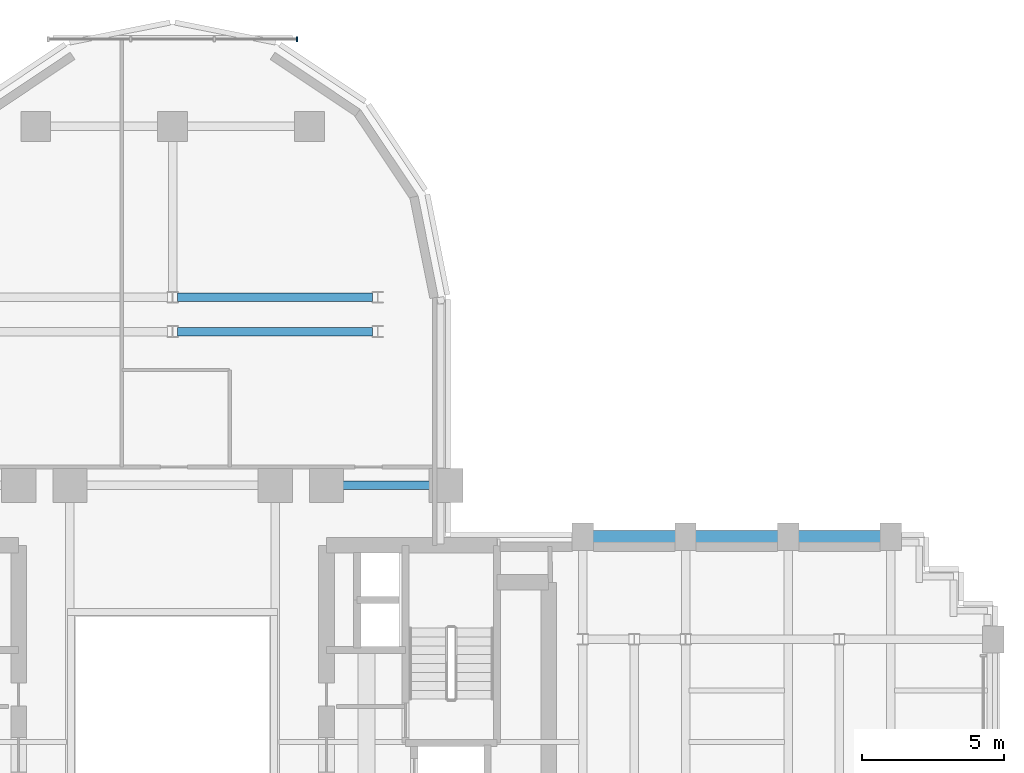
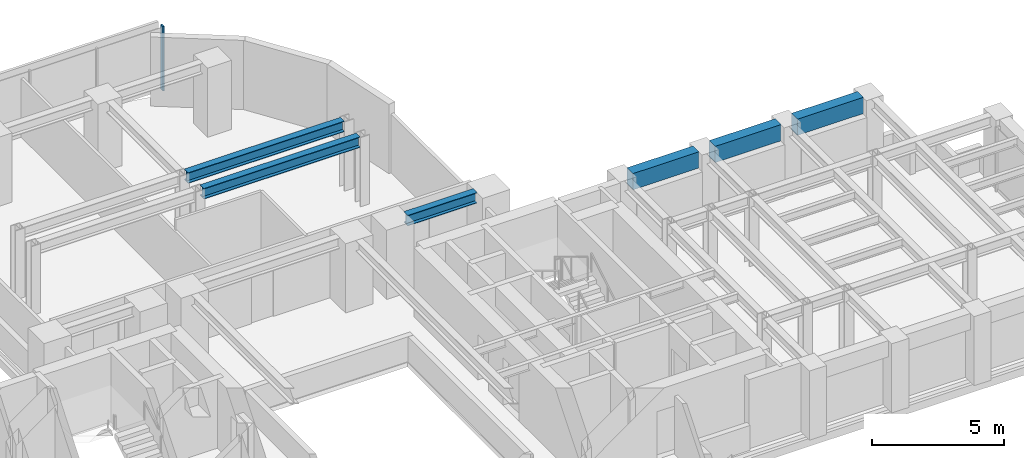
# One storey, part 8 of 16: 6 beams, 1 member, 1 element without a shape of its own.
"""IFC4 building model written with IfcOpenShell, lengths in metres."""

from ifc_helpers import new_model, si_unit, direction, frame, origin, origin_2d, place, context, subcontext, project, spatial, rectangle, i_section, extrude, source, transform, mapped, material, material_profile, profile_set, type_object, element, aggregate, save


model = new_model("IFC4")

# Units and contexts
model_context = context("Model", 3, precision=1e-05, world=origin(), true_north=direction((0.0, 1.0)))
body_context = subcontext(model_context, "Body", "Model", "MODEL_VIEW")
ifc_project = project(units=[si_unit("LENGTHUNIT", "METRE"), si_unit("AREAUNIT", "SQUARE_METRE"), si_unit("VOLUMEUNIT", "CUBIC_METRE"), si_unit("PLANEANGLEUNIT", "RADIAN"), si_unit("MASSUNIT", "GRAM", prefix="KILO")], contexts=[model_context])

# Site, building, storey
site_placement = place(None, origin())
site = spatial("IfcSite", under=ifc_project, at=site_placement, CompositionType="ELEMENT")
building_placement = place(site_placement, origin())
building = spatial("IfcBuilding", under=site, at=building_placement, Name="Keilestroom Media Tower", CompositionType="ELEMENT")
storey_placement = place(building_placement, frame((0.0, 0.0, 34.0)))
storey = spatial("IfcBuildingStorey", under=building, at=storey_placement, Name="L07", CompositionType="ELEMENT", Elevation=34.0)

# Beams
ifc_material_1 = material(Name="Precast concrete C40/50", Category="concrete")
ifc_material_profile_1 = material_profile(ifc_material_1, rectangle(XDim=0.449951171875, YDim=0.75, at=origin_2d()), Name="PC 450x750")
ifc_profile_set_1 = profile_set([ifc_material_profile_1], Name="Precast concrete C40/50")
beam_type_1 = type_object("IfcBeamType", Name="Perimeter-Spandrel-Beam-PC-450x750", PredefinedType="SPANDREL", material=ifc_profile_set_1)
shared_shape_1 = source(origin(), body_context, "Body", "SweptSolid", [
    extrude(rectangle(XDim=0.449951171875, YDim=0.75, at=origin_2d()), origin(), (0.0, 0.0, 1.0), 2.889892578125),
])
beam_1_placement = place(storey_placement, frame((21.955078125, 7.199951171875, 2.824951171875), z_axis=(1.0, 0.0, 0.0), x_axis=(0.0, 1.0, 0.0)))
element("IfcBeam", 1, at=beam_1_placement, inside=storey, type_object=beam_type_1, Name="L07 Beam SPB-1 BM-L07-EW-039", PredefinedType="SPANDREL", context=body_context, shape_type="MappedRepresentation", body=[
    mapped(shared_shape_1, transform((0.0, 0.0, 0.0), x_axis=(1.0, 0.0, 0.0), y_axis=(0.0, 1.0, 0.0), z_axis=(0.0, 0.0, 1.0), scale=1.0)),
])
shared_shape_2 = source(origin(), body_context, "Body", "SweptSolid", [
    extrude(rectangle(XDim=0.449951171875, YDim=0.75, at=origin_2d()), origin(), (0.0, 0.0, 1.0), 2.89013671875),
])
for number, where, z_axis, x_axis, name in (
    (2, (14.7548828125, 7.199951171875, 2.824951171875), (1.0, 0.0, 0.0), (0.0, 1.0, 0.0), "L07 Beam SPB-1 BM-L07-EW-037"),
    (3, (18.35498046875, 7.199951171875, 2.824951171875), (1.0, 0.0, 0.0), (0.0, 1.0, 0.0), "L07 Beam SPB-1 BM-L07-EW-038"),
):
    element("IfcBeam", number, at=place(storey_placement, frame(where, z_axis=z_axis, x_axis=x_axis)), inside=storey, type_object=beam_type_1, Name=name, PredefinedType="SPANDREL", context=body_context, shape_type="MappedRepresentation", body=[
        mapped(shared_shape_2, transform((0.0, 0.0, 0.0), x_axis=(1.0, 0.0, 0.0), y_axis=(0.0, 1.0, 0.0), z_axis=(0.0, 0.0, 1.0), scale=1.0)),
    ])
ifc_material_2 = material(Name="Steel S355", Category="steel")
ifc_material_profile_2 = material_profile(ifc_material_2, i_section(OverallWidth=0.300048828125, OverallDepth=0.489990234375, WebThickness=0.011962890625, FlangeThickness=0.02294921875, at=origin_2d()), Name="HEA 500")
ifc_profile_set_2 = profile_set([ifc_material_profile_2], Name="Steel S355")
beam_type_2 = type_object("IfcBeamType", Name="Primary-Structural-Girder-HEA-500", PredefinedType="BEAM", material=ifc_profile_set_2)
shared_shape_3 = source(origin(), body_context, "Body", "SweptSolid", [
    extrude(i_section(OverallWidth=0.300048828125, OverallDepth=0.489990234375, WebThickness=0.011962890625, FlangeThickness=0.02294921875, at=origin_2d()), origin(), (0.0, 0.0, 1.0), 6.836181640625),
])
for number, where, z_axis, x_axis, name in (
    (4, (0.181884765625, 14.39990234375, 2.955078125), (1.0, 0.0, 0.0), (0.0, 1.0, 0.0), "L07 Beam BG-10 BM-L07-EW-046"),
    (5, (0.181884765625, 15.60009765625, 2.955078125), (1.0, 0.0, 0.0), (0.0, 1.0, 0.0), "L07 Beam BG-10 BM-L07-EW-048"),
):
    element("IfcBeam", number, at=place(storey_placement, frame(where, z_axis=z_axis, x_axis=x_axis)), inside=storey, type_object=beam_type_2, Name=name, PredefinedType="BEAM", context=body_context, shape_type="MappedRepresentation", body=[
        mapped(shared_shape_3, transform((0.0, 0.0, 0.0), x_axis=(1.0, 0.0, 0.0), y_axis=(0.0, 1.0, 0.0), z_axis=(0.0, 0.0, 1.0), scale=1.0)),
    ])
shared_shape_4 = source(origin(), body_context, "Body", "SweptSolid", [
    extrude(i_section(OverallWidth=0.300048828125, OverallDepth=0.489990234375, WebThickness=0.011962890625, FlangeThickness=0.02294921875, at=origin_2d()), origin(), (0.0, 0.0, 1.0), 3.0400390625),
])
beam_2_placement = place(storey_placement, frame((5.97998046875, 9.0, 2.955078125), z_axis=(1.0, 0.0, 0.0), x_axis=(0.0, 1.0, 0.0)))
element("IfcBeam", 6, at=beam_2_placement, inside=storey, type_object=beam_type_2, Name="L07 Beam BG-10 BM-L07-EW-044", PredefinedType="BEAM", context=body_context, shape_type="MappedRepresentation", body=[
    mapped(shared_shape_4, transform((0.0, 0.0, 0.0), x_axis=(1.0, 0.0, 0.0), y_axis=(0.0, 1.0, 0.0), z_axis=(0.0, 0.0, 1.0), scale=1.0)),
])

# Curtain wall, member
ifc_material_3 = material(Name="Anodised Aluminium Alloy", Category="aluminium")
curtain_wall_type = type_object("IfcCurtainWallType", Name="Unitised-Curtain-Wall-CW-6", PredefinedType="NOTDEFINED", material=ifc_material_3)
curtain_wall_placement = place(storey_placement, origin())
curtain_wall = element("IfcCurtainWall", 7, at=curtain_wall_placement, inside=storey, type_object=curtain_wall_type, Name="L07 Curtain Wall CW-6 CW-L07-LN-1", PredefinedType="NOTDEFINED")
ifc_material_profile_3 = material_profile(ifc_material_3, rectangle(XDim=0.06494140625, YDim=0.179931640625, at=origin_2d()), Name="ALU MULLION 65x180")
ifc_profile_set_3 = profile_set([ifc_material_profile_3], Name="Anodised Aluminium Alloy")
member_type = type_object("IfcMemberType", Name="Curtain-Wall-Mullion-CW-6", PredefinedType="MULLION", material=ifc_profile_set_3)
shared_shape_5 = source(origin(), body_context, "Body", "SweptSolid", [
    extrude(rectangle(XDim=0.06494140625, YDim=0.179931640625, at=origin_2d()), origin(), (0.0, 0.0, 1.0), 2.97998046875),
])
member_placement = place(storey_placement, frame((4.367431640625, 24.64990234375, 0.0), z_axis=(0.0, 0.0, 1.0), x_axis=(1.0, 0.0, 0.0)))
member = element("IfcMember", 8, at=member_placement, type_object=member_type, Name="CW-6 Mullion 03", PredefinedType="MULLION", context=body_context, shape_type="MappedRepresentation", body=[
    mapped(shared_shape_5, transform((0.0, 0.0, 0.0), x_axis=(1.0, 0.0, 0.0), y_axis=(0.0, 1.0, 0.0), z_axis=(0.0, 0.0, 1.0), scale=1.0)),
])
aggregate(curtain_wall, [member])

save(model, "model.ifc")
